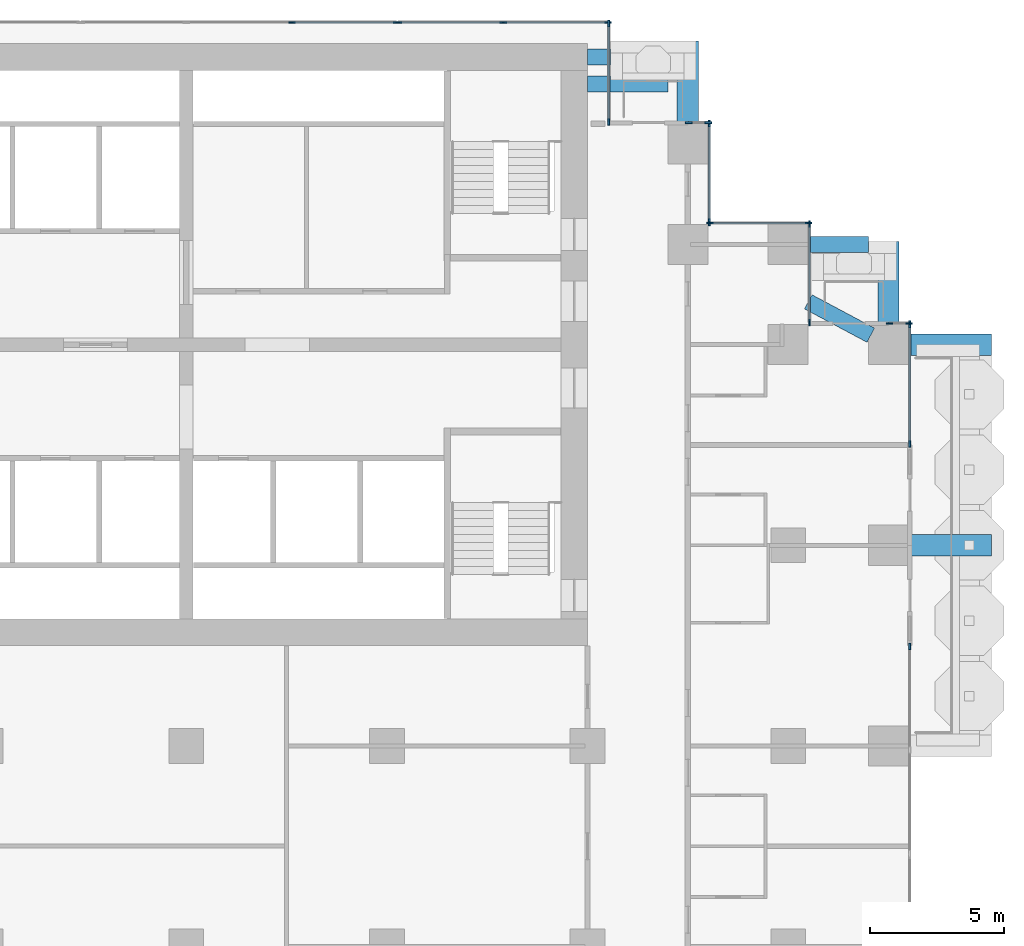
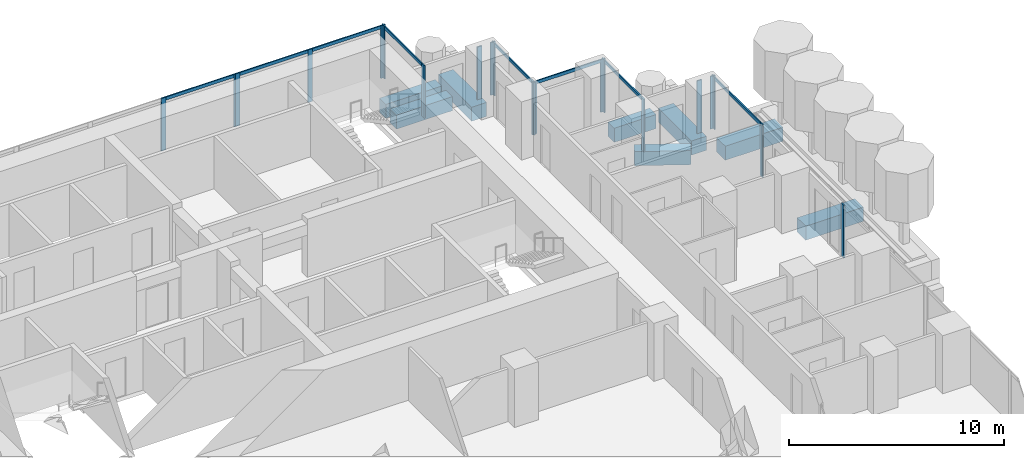
# One storey, part 6 of 20: 28 members, 8 beams, 10 elements without a shape of their own.
"""IFC4 building model written with IfcOpenShell, lengths in metres."""

from ifc_helpers import new_model, si_unit, direction, frame, origin, origin_2d, place, context, subcontext, project, spatial, rectangle, extrude, material, material_profile, profile_set, type_object, element, aggregate, save


model = new_model("IFC4")

# Units and contexts
model_context = context("Model", 3, precision=1e-05, world=origin(), true_north=direction((0.0, 1.0)))
body_context = subcontext(model_context, "Body", "Model", "MODEL_VIEW")
ifc_project = project(units=[si_unit("LENGTHUNIT", "METRE"), si_unit("AREAUNIT", "SQUARE_METRE"), si_unit("VOLUMEUNIT", "CUBIC_METRE"), si_unit("PLANEANGLEUNIT", "RADIAN"), si_unit("MASSUNIT", "GRAM", prefix="KILO")], contexts=[model_context])

# Site, building, storey
site_placement = place(None, origin())
site = spatial("IfcSite", under=ifc_project, at=site_placement, CompositionType="ELEMENT")
building_placement = place(site_placement, origin())
building = spatial("IfcBuilding", under=site, at=building_placement, Name="Pilkhan Gate Tower", CompositionType="ELEMENT")
storey_placement = place(building_placement, frame((0.0, 0.0, 85.699951171875)))
storey = spatial("IfcBuildingStorey", under=building, at=storey_placement, Name="L20", CompositionType="ELEMENT", Elevation=85.699951171875)

# Beams
ifc_material_1 = material(Name="Concrete C50/60", Category="concrete")
ifc_material_profile_1 = material_profile(ifc_material_1, rectangle(XDim=0.60009765625, YDim=0.800048828125, at=origin_2d()), Name="RC 600x800")
ifc_profile_set_1 = profile_set([ifc_material_profile_1], Name="Concrete C50/60")
beam_type_1 = type_object("IfcBeamType", Name="Cantilever beam CB1 RC 600x800 C50/60", PredefinedType="BEAM", material=ifc_profile_set_1)
for number, where, z_axis, x_axis, name in (
    (1, (90.0, 93.25, -0.699951171875), (1.0, 0.0, 0.0), (0.0, 1.0, 0.0), "Balcony beam NE.2 L20"),
    (2, (90.0, 92.25, -0.699951171875), (1.0, 0.0, 0.0), (0.0, 1.0, 0.0), "Balcony beam NE.3 L20"),
):
    element("IfcBeam", number, at=place(storey_placement, frame(where, z_axis=z_axis, x_axis=x_axis)), inside=storey, type_object=beam_type_1, Name=name, PredefinedType="BEAM", context=body_context, shape_type="SweptSolid", body=[
        extrude(rectangle(XDim=0.60009765625, YDim=0.800048828125, at=origin_2d()), origin(), (0.0, 0.0, 1.0), 3.0),
    ])
beam_1_placement = place(storey_placement, frame((98.25, 86.25, -0.699951171875), z_axis=(1.0, 0.0, 0.0), x_axis=(0.0, 1.0, 0.0)))
element("IfcBeam", 3, at=beam_1_placement, inside=storey, type_object=beam_type_1, Name="Balcony beam NE2.2 L20", PredefinedType="BEAM", context=body_context, shape_type="SweptSolid", body=[
    extrude(rectangle(XDim=0.60009765625, YDim=0.800048828125, at=origin_2d()), origin(), (0.0, 0.0, 1.0), 2.25),
])
beam_2_placement = place(storey_placement, frame((100.588134765625, 82.85302734375, -0.699951171875), z_axis=(-0.882342739565, 0.470607362817, 0.0), x_axis=(-0.470607362817, -0.882342739565, 0.0)))
element("IfcBeam", 4, at=beam_2_placement, inside=storey, type_object=beam_type_1, Name="Balcony beam NE2.3 L20", PredefinedType="BEAM", context=body_context, shape_type="SweptSolid", body=[
    extrude(rectangle(XDim=0.60009765625, YDim=0.800048828125, at=origin_2d()), origin(), (0.0, 0.0, 1.0), 2.64990234375),
])
ifc_material_profile_2 = material_profile(ifc_material_1, rectangle(XDim=0.800048828125, YDim=0.800048828125, at=origin_2d()), Name="RC 800x800")
ifc_profile_set_2 = profile_set([ifc_material_profile_2], Name="Concrete C50/60")
beam_type_2 = type_object("IfcBeamType", Name="Cantilever beam CB2 RC 800x800 C50/60", PredefinedType="BEAM", material=ifc_profile_set_2)
for number, where, z_axis, x_axis, name in (
    (5, (102.0, 75.0, -0.699951171875), (1.0, 0.0, 0.0), (0.0, 1.0, 0.0), "Balcony beam E.2 L20"),
    (6, (102.0, 82.5, -0.699951171875), (1.0, 0.0, 0.0), (0.0, 1.0, 0.0), "Balcony beam E.3 L20"),
    (7, (93.75, 90.75, -0.699951171875), (0.0, 1.0, 0.0), (-1.0, 0.0, 0.0), "Balcony beam NE.1 L20"),
    (8, (101.25, 83.25, -0.699951171875), (0.0, 1.0, 0.0), (-1.0, 0.0, 0.0), "Balcony beam NE2.1 L20"),
):
    element("IfcBeam", number, at=place(storey_placement, frame(where, z_axis=z_axis, x_axis=x_axis)), inside=storey, type_object=beam_type_2, Name=name, PredefinedType="BEAM", context=body_context, shape_type="SweptSolid", body=[
        extrude(rectangle(XDim=0.800048828125, YDim=0.800048828125, at=origin_2d()), origin(), (0.0, 0.0, 1.0), 3.10009765625),
    ])

# Curtain wall, member
ifc_material_2 = material(Name="Pale anodised aluminium, clear low-iron double glazing", Category="aluminium")
curtain_wall_type = type_object("IfcCurtainWallType", Name="Hotel unitised curtain wall CW-H", PredefinedType="USERDEFINED", material=ifc_material_2)
curtain_wall_1_placement = place(storey_placement, origin())
curtain_wall_1 = element("IfcCurtainWall", 9, at=curtain_wall_1_placement, inside=storey, type_object=curtain_wall_type, Name="Hotel unitised curtain wall CW-H L20 E", ObjectType="UNITISED CURTAIN WALL", PredefinedType="USERDEFINED")
ifc_material_3 = material(Name="Pale anodised aluminium", Category="aluminium")
ifc_material_profile_3 = material_profile(ifc_material_3, rectangle(XDim=0.06494140625, YDim=0.25, at=origin_2d()), Name="Mullion 250x65")
ifc_profile_set_3 = profile_set([ifc_material_profile_3], Name="Pale anodised aluminium")
member_type_1 = type_object("IfcMemberType", Name="Mullion CW-H 250x65", PredefinedType="MULLION", material=ifc_profile_set_3)
member_1_placement = place(storey_placement, frame((102.044921875, 71.217529296875, 0.0), z_axis=(0.0, 0.0, 1.0), x_axis=(-1.0, 0.0, 0.0)))
member_1 = element("IfcMember", 10, at=member_1_placement, type_object=member_type_1, Name="CW-H mullion 3", PredefinedType="MULLION", context=body_context, shape_type="SweptSolid", body=[
    extrude(rectangle(XDim=0.06494140625, YDim=0.25, at=origin_2d()), origin(), (0.0, 0.0, 1.0), 3.0),
])
aggregate(curtain_wall_1, [member_1])

# Curtain wall, members
curtain_wall_2_placement = place(storey_placement, origin())
curtain_wall_2 = element("IfcCurtainWall", 11, at=curtain_wall_2_placement, inside=storey, type_object=curtain_wall_type, Name="Hotel unitised curtain wall CW-H L20 E", ObjectType="UNITISED CURTAIN WALL", PredefinedType="USERDEFINED")
member_2_placement = place(storey_placement, frame((102.044921875, 78.782470703125, 0.0), z_axis=(0.0, 0.0, 1.0), x_axis=(-1.0, 0.0, 0.0)))
member_2 = element("IfcMember", 12, at=member_2_placement, type_object=member_type_1, Name="CW-H mullion 1", PredefinedType="MULLION", context=body_context, shape_type="SweptSolid", body=[
    extrude(rectangle(XDim=0.06494140625, YDim=0.25, at=origin_2d()), origin(), (0.0, 0.0, 1.0), 3.0),
])
member_3_placement = place(storey_placement, frame((102.044921875, 83.262451171875, 0.0), z_axis=(0.0, 0.0, 1.0), x_axis=(-1.0, 0.0, 0.0)))
member_3 = element("IfcMember", 13, at=member_3_placement, type_object=member_type_1, Name="CW-H mullion 2", PredefinedType="MULLION", context=body_context, shape_type="SweptSolid", body=[
    extrude(rectangle(XDim=0.06494140625, YDim=0.25, at=origin_2d()), origin(), (0.0, 0.0, 1.0), 3.0),
])

curtain_wall_3_placement = place(storey_placement, origin())
curtain_wall_3 = element("IfcCurtainWall", 14, at=curtain_wall_3_placement, inside=storey, type_object=curtain_wall_type, Name="Hotel unitised curtain wall CW-H L20 N", ObjectType="UNITISED CURTAIN WALL", PredefinedType="USERDEFINED")
member_4_placement = place(storey_placement, frame((101.282470703125, 83.294921875, 0.0), z_axis=(0.0, 0.0, 1.0), x_axis=(0.0, 1.0, 0.0)))
member_4 = element("IfcMember", 15, at=member_4_placement, type_object=member_type_1, Name="CW-H mullion 1", PredefinedType="MULLION", context=body_context, shape_type="SweptSolid", body=[
    extrude(rectangle(XDim=0.06494140625, YDim=0.25, at=origin_2d()), origin(), (0.0, 0.0, 1.0), 3.0),
])
member_5_placement = place(storey_placement, frame((102.012451171875, 83.294921875, 0.0), z_axis=(0.0, 0.0, 1.0), x_axis=(0.0, 1.0, 0.0)))
member_5 = element("IfcMember", 16, at=member_5_placement, type_object=member_type_1, Name="CW-H mullion 2", PredefinedType="MULLION", context=body_context, shape_type="SweptSolid", body=[
    extrude(rectangle(XDim=0.06494140625, YDim=0.25, at=origin_2d()), origin(), (0.0, 0.0, 1.0), 3.0),
])
aggregate(curtain_wall_3, [member_4, member_5])

curtain_wall_4_placement = place(storey_placement, origin())
curtain_wall_4 = element("IfcCurtainWall", 17, at=curtain_wall_4_placement, inside=storey, type_object=curtain_wall_type, Name="Hotel unitised curtain wall CW-H L20 E", ObjectType="UNITISED CURTAIN WALL", PredefinedType="USERDEFINED")
member_6_placement = place(storey_placement, frame((98.294921875, 83.327392578125, 0.0), z_axis=(0.0, 0.0, 1.0), x_axis=(-1.0, 0.0, 0.0)))
member_6 = element("IfcMember", 18, at=member_6_placement, type_object=member_type_1, Name="CW-H mullion 1", PredefinedType="MULLION", context=body_context, shape_type="SweptSolid", body=[
    extrude(rectangle(XDim=0.06494140625, YDim=0.25, at=origin_2d()), origin(), (0.0, 0.0, 1.0), 3.0),
])
member_7_placement = place(storey_placement, frame((98.294921875, 87.012451171875, 0.0), z_axis=(0.0, 0.0, 1.0), x_axis=(-1.0, 0.0, 0.0)))
member_7 = element("IfcMember", 19, at=member_7_placement, type_object=member_type_1, Name="CW-H mullion 2", PredefinedType="MULLION", context=body_context, shape_type="SweptSolid", body=[
    extrude(rectangle(XDim=0.06494140625, YDim=0.25, at=origin_2d()), origin(), (0.0, 0.0, 1.0), 3.0),
])

curtain_wall_5_placement = place(storey_placement, origin())
curtain_wall_5 = element("IfcCurtainWall", 20, at=curtain_wall_5_placement, inside=storey, type_object=curtain_wall_type, Name="Hotel unitised curtain wall CW-H L20 N", ObjectType="UNITISED CURTAIN WALL", PredefinedType="USERDEFINED")
member_8_placement = place(storey_placement, frame((94.577392578125, 87.044921875, 0.0), z_axis=(0.0, 0.0, 1.0), x_axis=(0.0, 1.0, 0.0)))
member_8 = element("IfcMember", 21, at=member_8_placement, type_object=member_type_1, Name="CW-H mullion 1", PredefinedType="MULLION", context=body_context, shape_type="SweptSolid", body=[
    extrude(rectangle(XDim=0.06494140625, YDim=0.25, at=origin_2d()), origin(), (0.0, 0.0, 1.0), 3.0),
])
member_9_placement = place(storey_placement, frame((98.262451171875, 87.044921875, 0.0), z_axis=(0.0, 0.0, 1.0), x_axis=(0.0, 1.0, 0.0)))
member_9 = element("IfcMember", 22, at=member_9_placement, type_object=member_type_1, Name="CW-H mullion 2", PredefinedType="MULLION", context=body_context, shape_type="SweptSolid", body=[
    extrude(rectangle(XDim=0.06494140625, YDim=0.25, at=origin_2d()), origin(), (0.0, 0.0, 1.0), 3.0),
])

curtain_wall_6_placement = place(storey_placement, origin())
curtain_wall_6 = element("IfcCurtainWall", 23, at=curtain_wall_6_placement, inside=storey, type_object=curtain_wall_type, Name="Hotel unitised curtain wall CW-H L20 E", ObjectType="UNITISED CURTAIN WALL", PredefinedType="USERDEFINED")
member_10_placement = place(storey_placement, frame((94.544921875, 87.077392578125, 0.0), z_axis=(0.0, 0.0, 1.0), x_axis=(-1.0, 0.0, 0.0)))
member_10 = element("IfcMember", 24, at=member_10_placement, type_object=member_type_1, Name="CW-H mullion 1", PredefinedType="MULLION", context=body_context, shape_type="SweptSolid", body=[
    extrude(rectangle(XDim=0.06494140625, YDim=0.25, at=origin_2d()), origin(), (0.0, 0.0, 1.0), 3.0),
])
member_11_placement = place(storey_placement, frame((94.544921875, 90.762451171875, 0.0), z_axis=(0.0, 0.0, 1.0), x_axis=(-1.0, 0.0, 0.0)))
member_11 = element("IfcMember", 25, at=member_11_placement, type_object=member_type_1, Name="CW-H mullion 2", PredefinedType="MULLION", context=body_context, shape_type="SweptSolid", body=[
    extrude(rectangle(XDim=0.06494140625, YDim=0.25, at=origin_2d()), origin(), (0.0, 0.0, 1.0), 3.0),
])

curtain_wall_7_placement = place(storey_placement, origin())
curtain_wall_7 = element("IfcCurtainWall", 26, at=curtain_wall_7_placement, inside=storey, type_object=curtain_wall_type, Name="Hotel unitised curtain wall CW-H L20 N", ObjectType="UNITISED CURTAIN WALL", PredefinedType="USERDEFINED")
member_12_placement = place(storey_placement, frame((93.782470703125, 90.794921875, 0.0), z_axis=(0.0, 0.0, 1.0), x_axis=(0.0, 1.0, 0.0)))
member_12 = element("IfcMember", 27, at=member_12_placement, type_object=member_type_1, Name="CW-H mullion 1", PredefinedType="MULLION", context=body_context, shape_type="SweptSolid", body=[
    extrude(rectangle(XDim=0.06494140625, YDim=0.25, at=origin_2d()), origin(), (0.0, 0.0, 1.0), 3.0),
])
member_13_placement = place(storey_placement, frame((94.512451171875, 90.794921875, 0.0), z_axis=(0.0, 0.0, 1.0), x_axis=(0.0, 1.0, 0.0)))
member_13 = element("IfcMember", 28, at=member_13_placement, type_object=member_type_1, Name="CW-H mullion 2", PredefinedType="MULLION", context=body_context, shape_type="SweptSolid", body=[
    extrude(rectangle(XDim=0.06494140625, YDim=0.25, at=origin_2d()), origin(), (0.0, 0.0, 1.0), 3.0),
])
aggregate(curtain_wall_7, [member_12, member_13])

curtain_wall_8_placement = place(storey_placement, origin())
curtain_wall_8 = element("IfcCurtainWall", 29, at=curtain_wall_8_placement, inside=storey, type_object=curtain_wall_type, Name="Hotel unitised curtain wall CW-H L20 E", ObjectType="UNITISED CURTAIN WALL", PredefinedType="USERDEFINED")
member_14_placement = place(storey_placement, frame((90.794921875, 90.827392578125, 0.0), z_axis=(0.0, 0.0, 1.0), x_axis=(-1.0, 0.0, 0.0)))
member_14 = element("IfcMember", 30, at=member_14_placement, type_object=member_type_1, Name="CW-H mullion 1", PredefinedType="MULLION", context=body_context, shape_type="SweptSolid", body=[
    extrude(rectangle(XDim=0.06494140625, YDim=0.25, at=origin_2d()), origin(), (0.0, 0.0, 1.0), 3.0),
])
member_15_placement = place(storey_placement, frame((90.794921875, 94.512451171875, 0.0), z_axis=(0.0, 0.0, 1.0), x_axis=(-1.0, 0.0, 0.0)))
member_15 = element("IfcMember", 31, at=member_15_placement, type_object=member_type_1, Name="CW-H mullion 2", PredefinedType="MULLION", context=body_context, shape_type="SweptSolid", body=[
    extrude(rectangle(XDim=0.06494140625, YDim=0.25, at=origin_2d()), origin(), (0.0, 0.0, 1.0), 3.0),
])

curtain_wall_9_placement = place(storey_placement, origin())
curtain_wall_9 = element("IfcCurtainWall", 32, at=curtain_wall_9_placement, inside=storey, type_object=curtain_wall_type, Name="Hotel unitised curtain wall CW-H L20 N", ObjectType="UNITISED CURTAIN WALL", PredefinedType="USERDEFINED")
member_16_placement = place(storey_placement, frame((78.94873046875, 94.544921875, 0.0), z_axis=(0.0, 0.0, 1.0), x_axis=(0.0, 1.0, 0.0)))
member_16 = element("IfcMember", 33, at=member_16_placement, type_object=member_type_1, Name="CW-H mullion 3", PredefinedType="MULLION", context=body_context, shape_type="SweptSolid", body=[
    extrude(rectangle(XDim=0.06494140625, YDim=0.25, at=origin_2d()), origin(), (0.0, 0.0, 1.0), 3.0),
])
member_17_placement = place(storey_placement, frame((82.864990234375, 94.544921875, 0.0), z_axis=(0.0, 0.0, 1.0), x_axis=(0.0, 1.0, 0.0)))
member_17 = element("IfcMember", 34, at=member_17_placement, type_object=member_type_1, Name="CW-H mullion 4", PredefinedType="MULLION", context=body_context, shape_type="SweptSolid", body=[
    extrude(rectangle(XDim=0.06494140625, YDim=0.25, at=origin_2d()), origin(), (0.0, 0.0, 1.0), 3.0),
])

curtain_wall_10_placement = place(storey_placement, origin())
curtain_wall_10 = element("IfcCurtainWall", 35, at=curtain_wall_10_placement, inside=storey, type_object=curtain_wall_type, Name="Hotel unitised curtain wall CW-H L20 N", ObjectType="UNITISED CURTAIN WALL", PredefinedType="USERDEFINED")
member_18_placement = place(storey_placement, frame((82.929931640625, 94.544921875, 0.0), z_axis=(0.0, 0.0, 1.0), x_axis=(0.0, 1.0, 0.0)))
member_18 = element("IfcMember", 36, at=member_18_placement, type_object=member_type_1, Name="CW-H mullion 1", PredefinedType="MULLION", context=body_context, shape_type="SweptSolid", body=[
    extrude(rectangle(XDim=0.06494140625, YDim=0.25, at=origin_2d()), origin(), (0.0, 0.0, 1.0), 3.0),
])
member_19_placement = place(storey_placement, frame((86.84619140625, 94.544921875, 0.0), z_axis=(0.0, 0.0, 1.0), x_axis=(0.0, 1.0, 0.0)))
member_19 = element("IfcMember", 37, at=member_19_placement, type_object=member_type_1, Name="CW-H mullion 2", PredefinedType="MULLION", context=body_context, shape_type="SweptSolid", body=[
    extrude(rectangle(XDim=0.06494140625, YDim=0.25, at=origin_2d()), origin(), (0.0, 0.0, 1.0), 3.0),
])
member_20_placement = place(storey_placement, frame((90.762451171875, 94.544921875, 0.0), z_axis=(0.0, 0.0, 1.0), x_axis=(0.0, 1.0, 0.0)))
member_20 = element("IfcMember", 38, at=member_20_placement, type_object=member_type_1, Name="CW-H mullion 3", PredefinedType="MULLION", context=body_context, shape_type="SweptSolid", body=[
    extrude(rectangle(XDim=0.06494140625, YDim=0.25, at=origin_2d()), origin(), (0.0, 0.0, 1.0), 3.0),
])

# Member
ifc_material_profile_4 = material_profile(ifc_material_3, rectangle(XDim=0.06494140625, YDim=0.179931640625, at=origin_2d()), Name="Transom 180x65")
ifc_profile_set_4 = profile_set([ifc_material_profile_4], Name="Pale anodised aluminium")
member_type_2 = type_object("IfcMemberType", Name="Transom CW-H 180x65", PredefinedType="USERDEFINED", material=ifc_profile_set_4)
member_21_placement = place(storey_placement, frame((102.044921875, 78.81494140625, 2.91015625), z_axis=(0.0, 1.0, 0.0), x_axis=(-1.0, 0.0, 0.0)))
member_21 = element("IfcMember", 39, at=member_21_placement, type_object=member_type_2, Name="CW-H transom 1", ObjectType="TRANSOM", PredefinedType="USERDEFINED", context=body_context, shape_type="SweptSolid", body=[
    extrude(rectangle(XDim=0.06494140625, YDim=0.179931640625, at=origin_2d()), origin(), (0.0, 0.0, 1.0), 4.4150390625),
])

aggregate(curtain_wall_2, [member_2, member_3, member_21])

member_22_placement = place(storey_placement, frame((98.294921875, 83.360107421875, 2.91015625), z_axis=(0.0, 1.0, 0.0), x_axis=(-1.0, 0.0, 0.0)))
member_22 = element("IfcMember", 40, at=member_22_placement, type_object=member_type_2, Name="CW-H transom 1", ObjectType="TRANSOM", PredefinedType="USERDEFINED", context=body_context, shape_type="SweptSolid", body=[
    extrude(rectangle(XDim=0.06494140625, YDim=0.179931640625, at=origin_2d()), origin(), (0.0, 0.0, 1.0), 3.619873046875),
])

aggregate(curtain_wall_4, [member_6, member_7, member_22])

member_23_placement = place(storey_placement, frame((94.610107421875, 87.044921875, 2.91015625), z_axis=(1.0, 0.0, 0.0), x_axis=(0.0, 1.0, 0.0)))
member_23 = element("IfcMember", 41, at=member_23_placement, type_object=member_type_2, Name="CW-H transom 1", ObjectType="TRANSOM", PredefinedType="USERDEFINED", context=body_context, shape_type="SweptSolid", body=[
    extrude(rectangle(XDim=0.06494140625, YDim=0.179931640625, at=origin_2d()), origin(), (0.0, 0.0, 1.0), 3.619873046875),
])

aggregate(curtain_wall_5, [member_8, member_9, member_23])

member_24_placement = place(storey_placement, frame((94.544921875, 87.110107421875, 2.91015625), z_axis=(0.0, 1.0, 0.0), x_axis=(-1.0, 0.0, 0.0)))
member_24 = element("IfcMember", 42, at=member_24_placement, type_object=member_type_2, Name="CW-H transom 1", ObjectType="TRANSOM", PredefinedType="USERDEFINED", context=body_context, shape_type="SweptSolid", body=[
    extrude(rectangle(XDim=0.06494140625, YDim=0.179931640625, at=origin_2d()), origin(), (0.0, 0.0, 1.0), 3.619873046875),
])

aggregate(curtain_wall_6, [member_10, member_11, member_24])

member_25_placement = place(storey_placement, frame((90.794921875, 90.860107421875, 2.91015625), z_axis=(0.0, 1.0, 0.0), x_axis=(-1.0, 0.0, 0.0)))
member_25 = element("IfcMember", 43, at=member_25_placement, type_object=member_type_2, Name="CW-H transom 1", ObjectType="TRANSOM", PredefinedType="USERDEFINED", context=body_context, shape_type="SweptSolid", body=[
    extrude(rectangle(XDim=0.06494140625, YDim=0.179931640625, at=origin_2d()), origin(), (0.0, 0.0, 1.0), 3.619873046875),
])

aggregate(curtain_wall_8, [member_14, member_15, member_25])

member_26_placement = place(storey_placement, frame((78.981201171875, 94.544921875, 2.91015625), z_axis=(1.0, 0.0, 0.0), x_axis=(0.0, 1.0, 0.0)))
member_26 = element("IfcMember", 44, at=member_26_placement, type_object=member_type_2, Name="CW-H transom 3", ObjectType="TRANSOM", PredefinedType="USERDEFINED", context=body_context, shape_type="SweptSolid", body=[
    extrude(rectangle(XDim=0.06494140625, YDim=0.179931640625, at=origin_2d()), origin(), (0.0, 0.0, 1.0), 3.851318359375),
])

aggregate(curtain_wall_9, [member_16, member_17, member_26])

member_27_placement = place(storey_placement, frame((82.96240234375, 94.544921875, 2.91015625), z_axis=(1.0, 0.0, 0.0), x_axis=(0.0, 1.0, 0.0)))
member_27 = element("IfcMember", 45, at=member_27_placement, type_object=member_type_2, Name="CW-H transom 1", ObjectType="TRANSOM", PredefinedType="USERDEFINED", context=body_context, shape_type="SweptSolid", body=[
    extrude(rectangle(XDim=0.06494140625, YDim=0.179931640625, at=origin_2d()), origin(), (0.0, 0.0, 1.0), 3.851318359375),
])

member_28_placement = place(storey_placement, frame((86.878662109375, 94.544921875, 2.91015625), z_axis=(1.0, 0.0, 0.0), x_axis=(0.0, 1.0, 0.0)))
member_28 = element("IfcMember", 46, at=member_28_placement, type_object=member_type_2, Name="CW-H transom 2", ObjectType="TRANSOM", PredefinedType="USERDEFINED", context=body_context, shape_type="SweptSolid", body=[
    extrude(rectangle(XDim=0.06494140625, YDim=0.179931640625, at=origin_2d()), origin(), (0.0, 0.0, 1.0), 3.851318359375),
])

aggregate(curtain_wall_10, [member_18, member_19, member_20, member_27, member_28])

save(model, "model.ifc")
